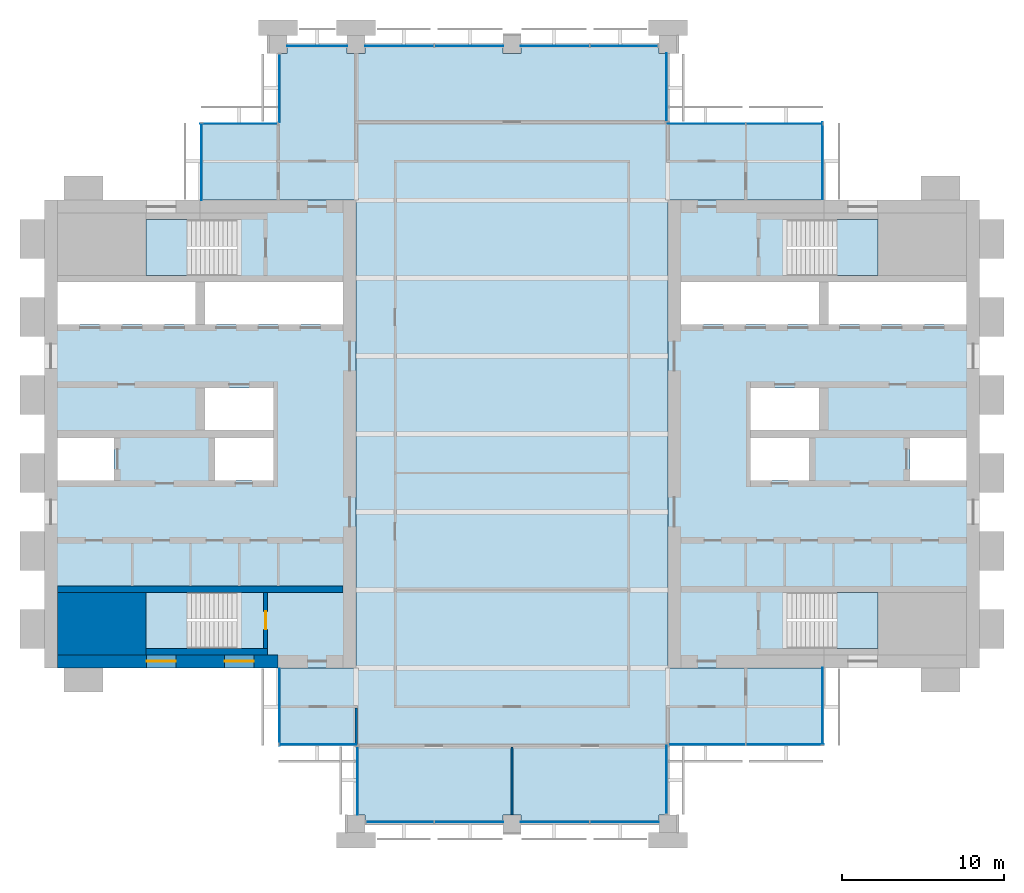
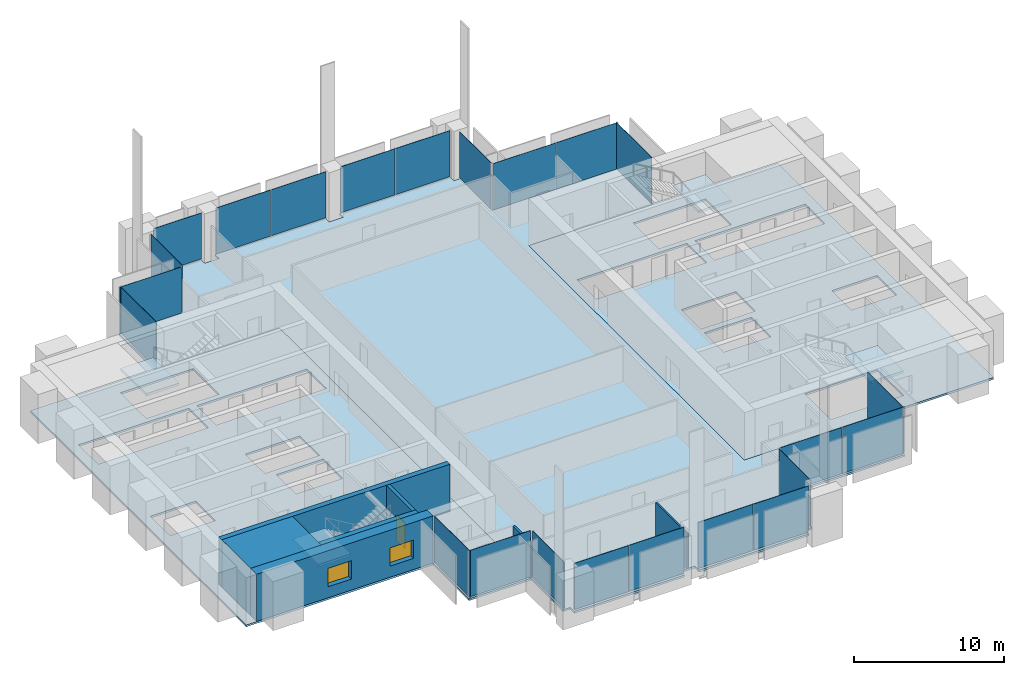
# One storey, part 7 of 13: 23 plates, 7 slabs, 7 walls, 2 windows, 1 door, 3 openings, 18 elements without a shape of their own.
"""IFC4 building model written with IfcOpenShell, lengths in metres."""

from ifc_helpers import new_model, si_unit, direction, frame, frame_2d, origin, origin_2d, place, context, subcontext, project, spatial, polyline, rectangle, outline, extrude, material, layer, layer_set, type_object, element, fill, aggregate, save


model = new_model("IFC4")

# Units and contexts
model_context = context("Model", 3, precision=1e-05, world=origin(), true_north=direction((0.0, 1.0)))
body_context = subcontext(model_context, "Body", "Model", "MODEL_VIEW")
ifc_project = project(units=[si_unit("LENGTHUNIT", "METRE"), si_unit("AREAUNIT", "SQUARE_METRE"), si_unit("VOLUMEUNIT", "CUBIC_METRE"), si_unit("PLANEANGLEUNIT", "RADIAN"), si_unit("MASSUNIT", "GRAM", prefix="KILO")], contexts=[model_context])

# Site, building, storey
site_placement = place(None, origin())
site = spatial("IfcSite", under=ifc_project, at=site_placement, CompositionType="ELEMENT")
building_placement = place(site_placement, origin())
building = spatial("IfcBuilding", under=site, at=building_placement, Name="Baori Bourse Tower", CompositionType="ELEMENT")
storey_placement = place(building_placement, frame((0.0, 0.0, 213.199951171875)))
storey = spatial("IfcBuildingStorey", under=building, at=storey_placement, Name="L46", CompositionType="ELEMENT", Elevation=213.199951171875)

# Curtain wall, plate
ifc_material_1 = material(Name="Pale anodised aluminium", Category="aluminium")
curtain_wall_type_1 = type_object("IfcCurtainWallType", Name="CW2 Curtain wall", PredefinedType="NOTDEFINED", material=ifc_material_1)
curtain_wall_1_placement = place(storey_placement, origin())
curtain_wall_1 = element("IfcCurtainWall", 1, at=curtain_wall_1_placement, inside=storey, type_object=curtain_wall_type_1, Name="Curtain wall CW2 L46 1", PredefinedType="NOTDEFINED")
ifc_material_2 = material(Name="Clear glass", Category="glass")
ifc_layer_1 = layer(ifc_material_2, 0.030029296875)
ifc_layer_set_1 = layer_set([ifc_layer_1], Name="CW2 Curtain wall panel")
plate_type_1 = type_object("IfcPlateType", Name="CW2 Curtain wall panel", PredefinedType="CURTAIN_PANEL", material=ifc_layer_set_1)
plate_1_placement = place(storey_placement, frame((47.909912109375, 40.827392578125, 0.070068359375), z_axis=(0.0, 0.0, 1.0), x_axis=(0.0, 1.0, 0.0)))
plate_1 = element("IfcPlate", 2, at=plate_1_placement, type_object=plate_type_1, Name="Curtain wall CW2 panel", PredefinedType="CURTAIN_PANEL", context=body_context, shape_type="SweptSolid", body=[
    extrude(rectangle(XDim=4.7451171875, YDim=0.030029296875, at=origin_2d()), origin(), (0.0, 0.0, 1.0), 3.77001953125),
])
aggregate(curtain_wall_1, [plate_1])

# Curtain wall, plates
curtain_wall_2_placement = place(storey_placement, origin())
curtain_wall_2 = element("IfcCurtainWall", 3, at=curtain_wall_2_placement, inside=storey, type_object=curtain_wall_type_1, Name="Curtain wall CW2 L46 2", PredefinedType="NOTDEFINED")
plate_2_placement = place(storey_placement, frame((45.586181640625, 43.110107421875, 0.070068359375), z_axis=(0.0, 0.0, 1.0), x_axis=(-1.0, 0.0, 0.0)))
plate_2 = element("IfcPlate", 4, at=plate_2_placement, type_object=plate_type_1, Name="Curtain wall CW2 panel", PredefinedType="CURTAIN_PANEL", context=body_context, shape_type="SweptSolid", body=[
    extrude(rectangle(XDim=4.717529296875, YDim=0.030029296875, at=origin_2d()), origin(), (0.0, 0.0, 1.0), 3.77001953125),
])
plate_3_placement = place(storey_placement, frame((40.7861328125, 43.110107421875, 0.070068359375), z_axis=(0.0, 0.0, 1.0), x_axis=(-1.0, 0.0, 0.0)))
plate_3 = element("IfcPlate", 5, at=plate_3_placement, type_object=plate_type_1, Name="Curtain wall CW2 panel", PredefinedType="CURTAIN_PANEL", context=body_context, shape_type="SweptSolid", body=[
    extrude(rectangle(XDim=4.7724609375, YDim=0.030029296875, at=origin_2d()), origin(), (0.0, 0.0, 1.0), 3.77001953125),
])
aggregate(curtain_wall_2, [plate_2, plate_3])

# Curtain wall, plate
curtain_wall_3_placement = place(storey_placement, origin())
curtain_wall_3 = element("IfcCurtainWall", 6, at=curtain_wall_3_placement, inside=storey, type_object=curtain_wall_type_1, Name="Curtain wall CW2 L46 3", PredefinedType="NOTDEFINED")
plate_4_placement = place(storey_placement, frame((38.31005859375, 45.3525390625, 0.070068359375), z_axis=(0.0, 0.0, 1.0), x_axis=(0.0, 1.0, 0.0)))
plate_4 = element("IfcPlate", 7, at=plate_4_placement, type_object=plate_type_1, Name="Curtain wall CW2 panel", PredefinedType="CURTAIN_PANEL", context=body_context, shape_type="SweptSolid", body=[
    extrude(rectangle(XDim=4.195068359375, YDim=0.030029296875, at=origin_2d()), origin(), (0.0, 0.0, 1.0), 3.77001953125),
])
aggregate(curtain_wall_3, [plate_4])

curtain_wall_4_placement = place(storey_placement, origin())
curtain_wall_4 = element("IfcCurtainWall", 8, at=curtain_wall_4_placement, inside=storey, type_object=curtain_wall_type_1, Name="Curtain wall CW2 L46 5", PredefinedType="NOTDEFINED")
plate_5_placement = place(storey_placement, frame((14.489990234375, 45.297607421875, 0.070068359375), z_axis=(0.0, 0.0, 1.0), x_axis=(0.0, -1.0, 0.0)))
plate_5 = element("IfcPlate", 9, at=plate_5_placement, type_object=plate_type_1, Name="Curtain wall CW2 panel", PredefinedType="CURTAIN_PANEL", context=body_context, shape_type="SweptSolid", body=[
    extrude(rectangle(XDim=4.195068359375, YDim=0.030029296875, at=origin_2d()), origin(), (0.0, 0.0, 1.0), 3.77001953125),
])
aggregate(curtain_wall_4, [plate_5])

curtain_wall_5_placement = place(storey_placement, origin())
curtain_wall_5 = element("IfcCurtainWall", 10, at=curtain_wall_5_placement, inside=storey, type_object=curtain_wall_type_1, Name="Curtain wall CW2 L46 6", PredefinedType="NOTDEFINED")
plate_6_placement = place(storey_placement, frame((11.972412109375, 43.110107421875, 0.070068359375), z_axis=(0.0, 0.0, 1.0), x_axis=(-1.0, 0.0, 0.0)))
plate_6 = element("IfcPlate", 11, at=plate_6_placement, type_object=plate_type_1, Name="Curtain wall CW2 panel", PredefinedType="CURTAIN_PANEL", context=body_context, shape_type="SweptSolid", body=[
    extrude(rectangle(XDim=4.7451171875, YDim=0.030029296875, at=origin_2d()), origin(), (0.0, 0.0, 1.0), 3.77001953125),
])
aggregate(curtain_wall_5, [plate_6])

curtain_wall_6_placement = place(storey_placement, origin())
curtain_wall_6 = element("IfcCurtainWall", 12, at=curtain_wall_6_placement, inside=storey, type_object=curtain_wall_type_1, Name="Curtain wall CW2 L46 7", PredefinedType="NOTDEFINED")
plate_7_placement = place(storey_placement, frame((9.68994140625, 40.7724609375, 0.070068359375), z_axis=(0.0, 0.0, 1.0), x_axis=(0.0, -1.0, 0.0)))
plate_7 = element("IfcPlate", 13, at=plate_7_placement, type_object=plate_type_1, Name="Curtain wall CW2 panel", PredefinedType="CURTAIN_PANEL", context=body_context, shape_type="SweptSolid", body=[
    extrude(rectangle(XDim=4.7451171875, YDim=0.030029296875, at=origin_2d()), origin(), (0.0, 0.0, 1.0), 3.77001953125),
])
aggregate(curtain_wall_6, [plate_7])

curtain_wall_7_placement = place(storey_placement, origin())
curtain_wall_7 = element("IfcCurtainWall", 14, at=curtain_wall_7_placement, inside=storey, type_object=curtain_wall_type_1, Name="Curtain wall CW2 L46 8", PredefinedType="NOTDEFINED")
plate_8_placement = place(storey_placement, frame((14.489990234375, 7.172607421875, 0.070068359375), z_axis=(0.0, 0.0, 1.0), x_axis=(0.0, -1.0, 0.0)))
plate_8 = element("IfcPlate", 15, at=plate_8_placement, type_object=plate_type_1, Name="Curtain wall CW2 panel", PredefinedType="CURTAIN_PANEL", context=body_context, shape_type="SweptSolid", body=[
    extrude(rectangle(XDim=4.7451171875, YDim=0.030029296875, at=origin_2d()), origin(), (0.0, 0.0, 1.0), 3.77001953125),
])
aggregate(curtain_wall_7, [plate_8])

curtain_wall_8_placement = place(storey_placement, origin())
curtain_wall_8 = element("IfcCurtainWall", 16, at=curtain_wall_8_placement, inside=storey, type_object=curtain_wall_type_1, Name="Curtain wall CW2 L46 9", PredefinedType="NOTDEFINED")
plate_9_placement = place(storey_placement, frame((16.827392578125, 4.889892578125, 0.070068359375), z_axis=(0.0, 0.0, 1.0), x_axis=(1.0, 0.0, 0.0)))
plate_9 = element("IfcPlate", 17, at=plate_9_placement, type_object=plate_type_1, Name="Curtain wall CW2 panel", PredefinedType="CURTAIN_PANEL", context=body_context, shape_type="SweptSolid", body=[
    extrude(rectangle(XDim=4.7451171875, YDim=0.030029296875, at=origin_2d()), origin(), (0.0, 0.0, 1.0), 3.77001953125),
])
aggregate(curtain_wall_8, [plate_9])

curtain_wall_9_placement = place(storey_placement, origin())
curtain_wall_9 = element("IfcCurtainWall", 18, at=curtain_wall_9_placement, inside=storey, type_object=curtain_wall_type_1, Name="Curtain wall CW2 L46 10", PredefinedType="NOTDEFINED")
plate_10_placement = place(storey_placement, frame((19.2900390625, 2.6474609375, 0.070068359375), z_axis=(0.0, 0.0, 1.0), x_axis=(0.0, -1.0, 0.0)))
plate_10 = element("IfcPlate", 19, at=plate_10_placement, type_object=plate_type_1, Name="Curtain wall CW2 panel", PredefinedType="CURTAIN_PANEL", context=body_context, shape_type="SweptSolid", body=[
    extrude(rectangle(XDim=4.195068359375, YDim=0.030029296875, at=origin_2d()), origin(), (0.0, 0.0, 1.0), 3.77001953125),
])
aggregate(curtain_wall_9, [plate_10])

curtain_wall_10_placement = place(storey_placement, origin())
curtain_wall_10 = element("IfcCurtainWall", 20, at=curtain_wall_10_placement, inside=storey, type_object=curtain_wall_type_1, Name="Curtain wall CW2 L46 12", PredefinedType="NOTDEFINED")
plate_11_placement = place(storey_placement, frame((38.31005859375, 2.702392578125, 0.070068359375), z_axis=(0.0, 0.0, 1.0), x_axis=(0.0, 1.0, 0.0)))
plate_11 = element("IfcPlate", 21, at=plate_11_placement, type_object=plate_type_1, Name="Curtain wall CW2 panel", PredefinedType="CURTAIN_PANEL", context=body_context, shape_type="SweptSolid", body=[
    extrude(rectangle(XDim=4.195068359375, YDim=0.030029296875, at=origin_2d()), origin(), (0.0, 0.0, 1.0), 3.77001953125),
])
aggregate(curtain_wall_10, [plate_11])

# Curtain wall, plates
curtain_wall_11_placement = place(storey_placement, origin())
curtain_wall_11 = element("IfcCurtainWall", 22, at=curtain_wall_11_placement, inside=storey, type_object=curtain_wall_type_1, Name="Curtain wall CW2 L46 13", PredefinedType="NOTDEFINED")
plate_12_placement = place(storey_placement, frame((40.813720703125, 4.889892578125, 0.070068359375), z_axis=(0.0, 0.0, 1.0), x_axis=(1.0, 0.0, 0.0)))
plate_12 = element("IfcPlate", 23, at=plate_12_placement, type_object=plate_type_1, Name="Curtain wall CW2 panel", PredefinedType="CURTAIN_PANEL", context=body_context, shape_type="SweptSolid", body=[
    extrude(rectangle(XDim=4.717529296875, YDim=0.030029296875, at=origin_2d()), origin(), (0.0, 0.0, 1.0), 3.77001953125),
])
plate_13_placement = place(storey_placement, frame((45.61376953125, 4.889892578125, 0.070068359375), z_axis=(0.0, 0.0, 1.0), x_axis=(1.0, 0.0, 0.0)))
plate_13 = element("IfcPlate", 24, at=plate_13_placement, type_object=plate_type_1, Name="Curtain wall CW2 panel", PredefinedType="CURTAIN_PANEL", context=body_context, shape_type="SweptSolid", body=[
    extrude(rectangle(XDim=4.7724609375, YDim=0.030029296875, at=origin_2d()), origin(), (0.0, 0.0, 1.0), 3.77001953125),
])
aggregate(curtain_wall_11, [plate_12, plate_13])

# Curtain wall, plate
curtain_wall_12_placement = place(storey_placement, origin())
curtain_wall_12 = element("IfcCurtainWall", 25, at=curtain_wall_12_placement, inside=storey, type_object=curtain_wall_type_1, Name="Curtain wall CW2 L46 14", PredefinedType="NOTDEFINED")
plate_14_placement = place(storey_placement, frame((47.909912109375, 7.2275390625, 0.070068359375), z_axis=(0.0, 0.0, 1.0), x_axis=(0.0, 1.0, 0.0)))
plate_14 = element("IfcPlate", 26, at=plate_14_placement, type_object=plate_type_1, Name="Curtain wall CW2 panel", PredefinedType="CURTAIN_PANEL", context=body_context, shape_type="SweptSolid", body=[
    extrude(rectangle(XDim=4.7451171875, YDim=0.030029296875, at=origin_2d()), origin(), (0.0, 0.0, 1.0), 3.77001953125),
])
aggregate(curtain_wall_12, [plate_14])

# Curtain wall, plates
ifc_material_3 = material(Name="Pale anodised aluminium", Category="aluminium")
curtain_wall_type_2 = type_object("IfcCurtainWallType", Name="CW5 Curtain wall", PredefinedType="NOTDEFINED", material=ifc_material_3)
curtain_wall_13_placement = place(storey_placement, origin())
curtain_wall_13 = element("IfcCurtainWall", 27, at=curtain_wall_13_placement, inside=storey, type_object=curtain_wall_type_2, Name="Curtain wall CW5 L46 4", PredefinedType="NOTDEFINED")
ifc_material_4 = material(Name="Clear glass", Category="glass")
ifc_layer_2 = layer(ifc_material_4, 0.035888671875)
ifc_layer_set_2 = layer_set([ifc_layer_2], Name="CW5 Curtain wall panel")
plate_type_2 = type_object("IfcPlateType", Name="CW5 Curtain wall panel", PredefinedType="CURTAIN_PANEL", material=ifc_layer_set_2)
plate_15_placement = place(storey_placement, frame((35.708740234375, 47.889892578125, 0.085205078125), z_axis=(0.0, 0.0, 1.0), x_axis=(-1.0, 0.0, 0.0)))
plate_15 = element("IfcPlate", 28, at=plate_15_placement, type_object=plate_type_2, Name="Curtain wall CW5 panel", PredefinedType="CURTAIN_PANEL", context=body_context, shape_type="SweptSolid", body=[
    extrude(rectangle(XDim=4.152587890625, YDim=0.035888671875, at=origin_2d()), origin(), (0.0, 0.0, 1.0), 3.7548828125),
])
plate_16_placement = place(storey_placement, frame((31.458740234375, 47.889892578125, 0.085205078125), z_axis=(0.0, 0.0, 1.0), x_axis=(-1.0, 0.0, 0.0)))
plate_16 = element("IfcPlate", 29, at=plate_16_placement, type_object=plate_type_2, Name="Curtain wall CW5 panel", PredefinedType="CURTAIN_PANEL", context=body_context, shape_type="SweptSolid", body=[
    extrude(rectangle(XDim=4.217529296875, YDim=0.035888671875, at=origin_2d()), origin(), (0.0, 0.0, 1.0), 3.7548828125),
])
plate_17_placement = place(storey_placement, frame((26.141357421875, 47.889892578125, 0.085205078125), z_axis=(0.0, 0.0, 1.0), x_axis=(-1.0, 0.0, 0.0)))
plate_17 = element("IfcPlate", 30, at=plate_17_placement, type_object=plate_type_2, Name="Curtain wall CW5 panel", PredefinedType="CURTAIN_PANEL", context=body_context, shape_type="SweptSolid", body=[
    extrude(rectangle(XDim=4.217529296875, YDim=0.035888671875, at=origin_2d()), origin(), (0.0, 0.0, 1.0), 3.7548828125),
])
plate_18_placement = place(storey_placement, frame((21.858642578125, 47.889892578125, 0.085205078125), z_axis=(0.0, 0.0, 1.0), x_axis=(-1.0, 0.0, 0.0)))
plate_18 = element("IfcPlate", 31, at=plate_18_placement, type_object=plate_type_2, Name="Curtain wall CW5 panel", PredefinedType="CURTAIN_PANEL", context=body_context, shape_type="SweptSolid", body=[
    extrude(rectangle(XDim=4.217529296875, YDim=0.035888671875, at=origin_2d()), origin(), (0.0, 0.0, 1.0), 3.7548828125),
])
plate_19_placement = place(storey_placement, frame((16.800048828125, 47.889892578125, 0.085205078125), z_axis=(0.0, 0.0, 1.0), x_axis=(-1.0, 0.0, 0.0)))
plate_19 = element("IfcPlate", 32, at=plate_19_placement, type_object=plate_type_2, Name="Curtain wall CW5 panel", PredefinedType="CURTAIN_PANEL", context=body_context, shape_type="SweptSolid", body=[
    extrude(rectangle(XDim=3.699951171875, YDim=0.035888671875, at=origin_2d()), origin(), (0.0, 0.0, 1.0), 3.7548828125),
])
aggregate(curtain_wall_13, [plate_15, plate_16, plate_17, plate_18, plate_19])

curtain_wall_14_placement = place(storey_placement, origin())
curtain_wall_14 = element("IfcCurtainWall", 33, at=curtain_wall_14_placement, inside=storey, type_object=curtain_wall_type_2, Name="Curtain wall CW5 L46 11", PredefinedType="NOTDEFINED")
plate_20_placement = place(storey_placement, frame((21.891357421875, 0.110107421875, 0.085205078125), z_axis=(0.0, 0.0, 1.0), x_axis=(1.0, 0.0, 0.0)))
plate_20 = element("IfcPlate", 34, at=plate_20_placement, type_object=plate_type_2, Name="Curtain wall CW5 panel", PredefinedType="CURTAIN_PANEL", context=body_context, shape_type="SweptSolid", body=[
    extrude(rectangle(XDim=4.152587890625, YDim=0.035888671875, at=origin_2d()), origin(), (0.0, 0.0, 1.0), 3.7548828125),
])
plate_21_placement = place(storey_placement, frame((26.141357421875, 0.110107421875, 0.085205078125), z_axis=(0.0, 0.0, 1.0), x_axis=(1.0, 0.0, 0.0)))
plate_21 = element("IfcPlate", 35, at=plate_21_placement, type_object=plate_type_2, Name="Curtain wall CW5 panel", PredefinedType="CURTAIN_PANEL", context=body_context, shape_type="SweptSolid", body=[
    extrude(rectangle(XDim=4.217529296875, YDim=0.035888671875, at=origin_2d()), origin(), (0.0, 0.0, 1.0), 3.7548828125),
])
plate_22_placement = place(storey_placement, frame((31.458740234375, 0.110107421875, 0.085205078125), z_axis=(0.0, 0.0, 1.0), x_axis=(1.0, 0.0, 0.0)))
plate_22 = element("IfcPlate", 36, at=plate_22_placement, type_object=plate_type_2, Name="Curtain wall CW5 panel", PredefinedType="CURTAIN_PANEL", context=body_context, shape_type="SweptSolid", body=[
    extrude(rectangle(XDim=4.217529296875, YDim=0.035888671875, at=origin_2d()), origin(), (0.0, 0.0, 1.0), 3.7548828125),
])
plate_23_placement = place(storey_placement, frame((35.7412109375, 0.110107421875, 0.085205078125), z_axis=(0.0, 0.0, 1.0), x_axis=(1.0, 0.0, 0.0)))
plate_23 = element("IfcPlate", 37, at=plate_23_placement, type_object=plate_type_2, Name="Curtain wall CW5 panel", PredefinedType="CURTAIN_PANEL", context=body_context, shape_type="SweptSolid", body=[
    extrude(rectangle(XDim=4.217529296875, YDim=0.035888671875, at=origin_2d()), origin(), (0.0, 0.0, 1.0), 3.7548828125),
])
aggregate(curtain_wall_14, [plate_20, plate_21, plate_22, plate_23])

# Slabs
ifc_material_5 = material(Name="Concrete f'c 50 MPa", Category="concrete")
ifc_layer_3 = layer(ifc_material_5, 0.159912109375)
ifc_layer_set_3 = layer_set([ifc_layer_3], Name="Core slab 160")
slab_type_1 = type_object("IfcSlabType", Name="Core slab 160", PredefinedType="FLOOR", material=ifc_layer_set_3)
slab_1_placement = place(storey_placement, frame((0.0, 0.0, -0.159912109375)))
element("IfcSlab", 38, at=slab_1_placement, inside=storey, type_object=slab_type_1, Name="Core floor slab W01", PredefinedType="FLOOR", context=body_context, shape_type="SweptSolid", body=[
    extrude(outline(polyline([(19.199951171875, 38.39990234375), (0.0, 38.39990234375), (0.0, 9.60009765625), (19.199951171875, 9.60009765625), (19.199951171875, 38.39990234375)]), holes=[polyline([(9.89990234375, 33.35009765625), (18.39990234375, 33.35009765625), (18.39990234375, 30.75), (9.89990234375, 30.75), (9.89990234375, 33.35009765625)]), polyline([(10.5, 21.14990234375), (10.5, 23.75), (14.10009765625, 23.75), (14.10009765625, 21.14990234375), (10.5, 21.14990234375)]), polyline([(14.10009765625, 24.25), (9.89990234375, 24.25), (9.89990234375, 26.85009765625), (14.10009765625, 26.85009765625), (14.10009765625, 24.25)]), polyline([(6.25, 14.25), (11.84912109375, 14.25), (11.84912109375, 10.800048828125), (6.25, 10.800048828125), (6.25, 14.25)]), polyline([(11.84912109375, 37.199951171875), (11.84912109375, 33.75), (6.25, 33.75), (6.25, 37.199951171875), (11.84912109375, 37.199951171875)]), polyline([(0.800048828125, 30.75), (0.800048828125, 33.35009765625), (9.300048828125, 33.35009765625), (9.300048828125, 30.75), (0.800048828125, 30.75)]), polyline([(4.300048828125, 23.75), (4.300048828125, 21.14990234375), (0.800048828125, 21.14990234375), (0.800048828125, 23.75), (4.300048828125, 23.75)])]), origin(), (0.0, 0.0, 1.0), 0.159912109375),
])
slab_2_placement = place(storey_placement, frame((0.0, 0.0, -0.159912109375)))
element("IfcSlab", 39, at=slab_2_placement, inside=storey, type_object=slab_type_1, Name="Core floor slab E01", PredefinedType="FLOOR", context=body_context, shape_type="SweptSolid", body=[
    extrude(outline(polyline([(57.60009765625, 9.60009765625), (57.60009765625, 38.39990234375), (38.39990234375, 38.39990234375), (38.39990234375, 9.60009765625), (57.60009765625, 9.60009765625)]), holes=[polyline([(48.300048828125, 33.35009765625), (56.800048828125, 33.35009765625), (56.800048828125, 30.75), (48.300048828125, 30.75), (48.300048828125, 33.35009765625)]), polyline([(56.800048828125, 21.14990234375), (53.300048828125, 21.14990234375), (53.300048828125, 23.75), (56.800048828125, 23.75), (56.800048828125, 21.14990234375)]), polyline([(45.750732421875, 14.25), (51.35009765625, 14.25), (51.35009765625, 10.800048828125), (45.750732421875, 10.800048828125), (45.750732421875, 14.25)]), polyline([(51.35009765625, 37.199951171875), (51.35009765625, 33.75), (45.750732421875, 33.75), (45.750732421875, 37.199951171875), (51.35009765625, 37.199951171875)]), polyline([(43.5, 24.25), (43.5, 26.85009765625), (47.699951171875, 26.85009765625), (47.699951171875, 24.25), (43.5, 24.25)]), polyline([(47.699951171875, 33.35009765625), (47.699951171875, 30.75), (39.199951171875, 30.75), (39.199951171875, 33.35009765625), (47.699951171875, 33.35009765625)]), polyline([(43.5, 23.75), (47.10009765625, 23.75), (47.10009765625, 21.14990234375), (43.5, 21.14990234375), (43.5, 23.75)])]), origin(), (0.0, 0.0, 1.0), 0.159912109375),
])

# Stair, slab
ifc_material_6 = material(Name="Concrete f'c 50 MPa", Category="concrete")
stair_type = type_object("IfcStairType", Name="Core stair", PredefinedType="HALF_TURN_STAIR", material=ifc_material_6)
stair_1_placement = place(storey_placement, origin())
stair_1 = element("IfcStair", 40, at=stair_1_placement, inside=storey, type_object=stair_type, Name="L46 Stair WA", PredefinedType="HALF_TURN_STAIR")
ifc_material_7 = material(Name="Concrete f'c 50 MPa", Category="concrete")
slab_type_2 = type_object("IfcSlabType", Name="Core stair landing", PredefinedType="LANDING", material=ifc_material_7)
slab_3_placement = place(storey_placement, frame((0.0, 0.0, 1.800048828125)))
slab_3 = element("IfcSlab", 41, at=slab_3_placement, type_object=slab_type_2, Name="ST1 landing 1", PredefinedType="LANDING", context=body_context, shape_type="SweptSolid", body=[
    extrude(outline(polyline([(8.77001953125, 14.25), (6.25, 14.25), (6.25, 10.800048828125), (8.77001953125, 10.800048828125), (8.77001953125, 14.25)])), origin(), (0.0, 0.0, 1.0), 0.199951171875),
])
aggregate(stair_1, [slab_3])

stair_2_placement = place(storey_placement, origin())
stair_2 = element("IfcStair", 42, at=stair_2_placement, inside=storey, type_object=stair_type, Name="L46 Stair WB", PredefinedType="HALF_TURN_STAIR")
slab_4_placement = place(storey_placement, frame((0.0, 0.0, 1.800048828125)))
slab_4 = element("IfcSlab", 43, at=slab_4_placement, type_object=slab_type_2, Name="ST2 landing 1", PredefinedType="LANDING", context=body_context, shape_type="SweptSolid", body=[
    extrude(outline(polyline([(8.77001953125, 37.199951171875), (6.25, 37.199951171875), (6.25, 33.75), (8.77001953125, 33.75), (8.77001953125, 37.199951171875)])), origin(), (0.0, 0.0, 1.0), 0.199951171875),
])
aggregate(stair_2, [slab_4])

stair_3_placement = place(storey_placement, origin())
stair_3 = element("IfcStair", 44, at=stair_3_placement, inside=storey, type_object=stair_type, Name="L46 Stair EA", PredefinedType="HALF_TURN_STAIR")
slab_5_placement = place(storey_placement, frame((0.0, 0.0, 1.800048828125)))
slab_5 = element("IfcSlab", 45, at=slab_5_placement, type_object=slab_type_2, Name="ST3 landing 1", PredefinedType="LANDING", context=body_context, shape_type="SweptSolid", body=[
    extrude(outline(polyline([(48.830078125, 10.800048828125), (51.35009765625, 10.800048828125), (51.35009765625, 14.25), (48.830078125, 14.25), (48.830078125, 10.800048828125)])), origin(), (0.0, 0.0, 1.0), 0.199951171875),
])
aggregate(stair_3, [slab_5])

stair_4_placement = place(storey_placement, origin())
stair_4 = element("IfcStair", 46, at=stair_4_placement, inside=storey, type_object=stair_type, Name="L46 Stair EB", PredefinedType="HALF_TURN_STAIR")
slab_6_placement = place(storey_placement, frame((0.0, 0.0, 1.800048828125)))
slab_6 = element("IfcSlab", 47, at=slab_6_placement, type_object=slab_type_2, Name="ST4 landing 1", PredefinedType="LANDING", context=body_context, shape_type="SweptSolid", body=[
    extrude(outline(polyline([(48.830078125, 33.75), (51.35009765625, 33.75), (51.35009765625, 37.199951171875), (48.830078125, 37.199951171875), (48.830078125, 33.75)])), origin(), (0.0, 0.0, 1.0), 0.199951171875),
])
aggregate(stair_4, [slab_6])

# Slab
ifc_material_8 = material(Name="Concrete f'c 40 MPa", Category="concrete")
ifc_layer_4 = layer(ifc_material_8, 0.159912109375)
ifc_layer_set_4 = layer_set([ifc_layer_4], Name="Floor slab 160")
slab_type_3 = type_object("IfcSlabType", Name="Floor slab 160", PredefinedType="FLOOR", material=ifc_layer_set_4)
slab_7_placement = place(storey_placement, frame((0.0, 0.0, -0.159912109375)))
element("IfcSlab", 48, at=slab_7_placement, inside=storey, type_object=slab_type_3, Name="Floor slab L46", PredefinedType="FLOOR", context=body_context, shape_type="SweptSolid", body=[
    extrude(outline(polyline([(19.199951171875, 4.800048828125), (14.39990234375, 4.800048828125), (14.39990234375, 9.60009765625), (19.199951171875, 9.60009765625), (19.199951171875, 38.39990234375), (9.60009765625, 38.39990234375), (9.60009765625, 43.199951171875), (14.39990234375, 43.199951171875), (14.39990234375, 47.449951171875), (14.949951171875, 47.449951171875), (14.949951171875, 48.0), (18.64990234375, 48.0), (18.64990234375, 47.449951171875), (19.75, 47.449951171875), (19.75, 48.0), (28.25, 48.0), (28.25, 47.449951171875), (29.35009765625, 47.449951171875), (29.35009765625, 48.0), (37.85009765625, 48.0), (37.85009765625, 47.449951171875), (38.39990234375, 47.449951171875), (38.39990234375, 43.199951171875), (48.0, 43.199951171875), (48.0, 38.39990234375), (38.39990234375, 38.39990234375), (38.39990234375, 9.60009765625), (48.0, 9.60009765625), (48.0, 4.800048828125), (38.39990234375, 4.800048828125), (38.39990234375, 0.550048828125), (37.85009765625, 0.550048828125), (37.85009765625, 0.0), (29.35009765625, 0.0), (29.35009765625, 0.550048828125), (28.25, 0.550048828125), (28.25, 0.0), (19.75, 0.0), (19.75, 0.550048828125), (19.199951171875, 0.550048828125), (19.199951171875, 4.800048828125)])), origin(), (0.0, 0.0, 1.0), 0.159912109375),
])

# Wall
ifc_material_9 = material(Name="Concrete f'c 50 MPa", Category="concrete")
wall_type_1 = type_object("IfcWallType", Name="Core corner block f'c 50", PredefinedType="SHEAR", material=ifc_material_9)
wall_1_placement = place(storey_placement, frame((0.800048828125, 12.324951171875, 0.0), z_axis=(0.0, 0.0, 1.0), x_axis=(1.0, 0.0, 0.0)))
element("IfcWall", 49, at=wall_1_placement, inside=storey, type_object=wall_type_1, Name="Core wall W05", PredefinedType="SHEAR", context=body_context, shape_type="SweptSolid", body=[
    extrude(rectangle(XDim=5.449951171875, YDim=3.85009765625, at=frame_2d((2.72509765625, 0.0))), origin(), (0.0, 0.0, 1.0), 3.840087890625),
])

# Wall, openings, windows
ifc_material_10 = material(Name="Concrete f'c 50 MPa", Category="concrete")
ifc_layer_5 = layer(ifc_material_10, 0.800048828125)
ifc_layer_set_5 = layer_set([ifc_layer_5], Name="Core wall 800 f'c 50")
wall_type_2 = type_object("IfcWallType", Name="Core wall 800 f'c 50", PredefinedType="SHEAR", material=ifc_layer_set_5)
wall_2_placement = place(storey_placement, frame((14.39990234375, 10.0, 0.0), z_axis=(0.0, 0.0, 1.0), x_axis=(-1.0, 0.0, 0.0)))
wall_2 = element("IfcWall", 50, at=wall_2_placement, inside=storey, type_object=wall_type_2, Name="Core wall W02", PredefinedType="SHEAR", context=body_context, shape_type="SweptSolid", body=[
    extrude(rectangle(XDim=13.599853515625, YDim=0.800048828125, at=frame_2d((6.7998046875, 0.0))), origin(), (0.0, 0.0, 1.0), 3.840087890625),
])
opening_1_placement = place(wall_2_placement, frame((6.300048828125, 0.0, 0.89990234375)))
opening_1 = element("IfcOpeningElement", 51, at=opening_1_placement, cuts=wall_2, Name="Opening L46-KW103", PredefinedType="OPENING", context=body_context, shape_type="SweptSolid", body=[
    extrude(rectangle(XDim=1.800048828125, YDim=1.5, at=frame_2d((0.89990234375, 0.75))), frame((0.0, 0.409912109375, 0.0), z_axis=(0.0, -1.0, 0.0), x_axis=(1.0, 0.0, 0.0)), (0.0, 0.0, 1.0), 0.820068359375),
])
opening_2_placement = place(wall_2_placement, frame((1.5, 0.0, 0.89990234375)))
opening_2 = element("IfcOpeningElement", 52, at=opening_2_placement, cuts=wall_2, Name="Opening L46-KW104", PredefinedType="OPENING", context=body_context, shape_type="SweptSolid", body=[
    extrude(rectangle(XDim=1.800048828125, YDim=1.5, at=frame_2d((0.89990234375, 0.75))), frame((0.0, 0.409912109375, 0.0), z_axis=(0.0, -1.0, 0.0), x_axis=(1.0, 0.0, 0.0)), (0.0, 0.0, 1.0), 0.820068359375),
])
ifc_material_11 = material(Name="Pale anodised aluminium", Category="aluminium")
window_type = type_object("IfcWindowType", Name="Stair window 1800 x 1500", PartitioningType="SINGLE_PANEL", PredefinedType="WINDOW", material=ifc_material_11)
window_1_placement = place(opening_1_placement, origin())
window_1 = element("IfcWindow", 53, at=window_1_placement, inside=storey, type_object=window_type, Name="Stair window W L46 3", OverallHeight=1.5, OverallWidth=1.800048828125, PartitioningType="SINGLE_PANEL", PredefinedType="WINDOW", context=body_context, shape_type="SweptSolid", body=[
    extrude(rectangle(XDim=1.800048828125, YDim=1.5, at=frame_2d((0.89990234375, 0.75))), frame((0.0, 0.030029296875, 0.0), z_axis=(0.0, -1.0, 0.0), x_axis=(1.0, 0.0, 0.0)), (0.0, 0.0, 1.0), 0.06005859375),
])
fill(opening_1, window_1)
window_2_placement = place(opening_2_placement, origin())
window_2 = element("IfcWindow", 54, at=window_2_placement, inside=storey, type_object=window_type, Name="Stair window W L46 4", OverallHeight=1.5, OverallWidth=1.800048828125, PartitioningType="SINGLE_PANEL", PredefinedType="WINDOW", context=body_context, shape_type="SweptSolid", body=[
    extrude(rectangle(XDim=1.800048828125, YDim=1.5, at=frame_2d((0.89990234375, 0.75))), frame((0.0, 0.030029296875, 0.0), z_axis=(0.0, -1.0, 0.0), x_axis=(1.0, 0.0, 0.0)), (0.0, 0.0, 1.0), 0.06005859375),
])
fill(opening_2, window_2)

# Walls
ifc_material_12 = material(Name="Gypsum board partition")
ifc_layer_6 = layer(ifc_material_12, 0.14990234375)
ifc_layer_set_6 = layer_set([ifc_layer_6], Name="Corridor partition 150")
wall_type_3 = type_object("IfcWallType", Name="Corridor partition 150", PredefinedType="PARTITIONING", material=ifc_layer_set_6)
wall_3_placement = place(storey_placement, frame((19.199951171875, 4.875, 0.0), z_axis=(0.0, 0.0, 1.0), x_axis=(0.0, 1.0, 0.0)))
element("IfcWall", 55, at=wall_3_placement, inside=storey, type_object=wall_type_3, Name="Partition", PredefinedType="PARTITIONING", context=body_context, shape_type="SweptSolid", body=[
    extrude(rectangle(XDim=2.25, YDim=0.14990234375, at=frame_2d((1.125, 0.0))), origin(), (0.0, 0.0, 1.0), 2.869873046875),
])
ifc_material_13 = material(Name="Gypsum board partition")
ifc_layer_7 = layer(ifc_material_13, 0.125)
ifc_layer_set_7 = layer_set([ifc_layer_7], Name="Partition 125")
wall_type_4 = type_object("IfcWallType", Name="Partition 125", PredefinedType="PARTITIONING", material=ifc_layer_set_7)
wall_4_placement = place(storey_placement, frame((28.800048828125, 0.550048828125, 0.0), z_axis=(0.0, 0.0, 1.0), x_axis=(0.0, 1.0, 0.0)))
element("IfcWall", 56, at=wall_4_placement, inside=storey, type_object=wall_type_4, Name="Partition", PredefinedType="PARTITIONING", context=body_context, shape_type="SweptSolid", body=[
    extrude(rectangle(XDim=4.175048828125, YDim=0.125, at=frame_2d((2.08740234375, 0.0))), origin(), (0.0, 0.0, 1.0), 2.869873046875),
])

# Wall, opening, door
ifc_material_14 = material(Name="Concrete f'c 50 MPa", Category="concrete")
ifc_layer_8 = layer(ifc_material_14, 0.25)
ifc_layer_set_8 = layer_set([ifc_layer_8], Name="Shaft wall 250 f'c 50")
wall_type_5 = type_object("IfcWallType", Name="Shaft wall 250 f'c 50", PredefinedType="SHEAR", material=ifc_layer_set_8)
wall_5_placement = place(storey_placement, frame((13.625, 10.800048828125, 0.0), z_axis=(0.0, 0.0, 1.0), x_axis=(0.0, 1.0, 0.0)))
wall_5 = element("IfcWall", 57, at=wall_5_placement, inside=storey, type_object=wall_type_5, Name="Core wall W07", PredefinedType="SHEAR", context=body_context, shape_type="SweptSolid", body=[
    extrude(rectangle(XDim=3.449951171875, YDim=0.25, at=frame_2d((1.72509765625, 0.0))), origin(), (0.0, 0.0, 1.0), 3.840087890625),
])
opening_3_placement = place(wall_5_placement, frame((1.175048828125, 0.0, 0.0)))
opening_3 = element("IfcOpeningElement", 58, at=opening_3_placement, cuts=wall_5, Name="Opening L46-D101", PredefinedType="OPENING", context=body_context, shape_type="SweptSolid", body=[
    extrude(rectangle(XDim=1.10009765625, YDim=2.10009765625, at=frame_2d((0.550048828125, 1.050048828125))), frame((0.0, 0.135009765625, 0.0), z_axis=(0.0, -1.0, 0.0), x_axis=(1.0, 0.0, 0.0)), (0.0, 0.0, 1.0), 0.27001953125),
])
ifc_material_15 = material(Name="Painted steel door", Category="steel")
door_type = type_object("IfcDoorType", Name="Stair door 1100", OperationType="SINGLE_SWING_LEFT", PredefinedType="DOOR", material=ifc_material_15)
door_placement = place(opening_3_placement, origin())
door = element("IfcDoor", 59, at=door_placement, inside=storey, type_object=door_type, Name="Stair door A W L46", OperationType="SINGLE_SWING_LEFT", OverallHeight=2.10009765625, OverallWidth=1.10009765625, PredefinedType="DOOR", context=body_context, shape_type="SweptSolid", body=[
    extrude(rectangle(XDim=1.10009765625, YDim=2.10009765625, at=frame_2d((0.550048828125, 1.050048828125))), frame((0.0, 0.02490234375, 0.0), z_axis=(0.0, -1.0, 0.0), x_axis=(1.0, 0.0, 0.0)), (0.0, 0.0, 1.0), 0.050048828125),
])
fill(opening_3, door)

# Walls
ifc_material_16 = material(Name="Concrete f'c 50 MPa", Category="concrete")
ifc_layer_9 = layer(ifc_material_16, 0.39990234375)
ifc_layer_set_9 = layer_set([ifc_layer_9], Name="Shaft wall 400 f'c 50")
wall_type_6 = type_object("IfcWallType", Name="Shaft wall 400 f'c 50", PredefinedType="SHEAR", material=ifc_layer_set_9)
wall_6_placement = place(storey_placement, frame((6.25, 10.60009765625, 0.0), z_axis=(0.0, 0.0, 1.0), x_axis=(1.0, 0.0, 0.0)))
element("IfcWall", 60, at=wall_6_placement, inside=storey, type_object=wall_type_6, Name="Core wall W06", PredefinedType="SHEAR", context=body_context, shape_type="SweptSolid", body=[
    extrude(rectangle(XDim=7.5, YDim=0.39990234375, at=frame_2d((3.75, 0.0))), origin(), (0.0, 0.0, 1.0), 3.840087890625),
])
wall_7_placement = place(storey_placement, frame((0.800048828125, 14.449951171875, 0.0), z_axis=(0.0, 0.0, 1.0), x_axis=(1.0, 0.0, 0.0)))
element("IfcWall", 61, at=wall_7_placement, inside=storey, type_object=wall_type_6, Name="Core wall W08", PredefinedType="SHEAR", context=body_context, shape_type="SweptSolid", body=[
    extrude(rectangle(XDim=17.599853515625, YDim=0.39990234375, at=frame_2d((8.7998046875, 0.0))), origin(), (0.0, 0.0, 1.0), 3.840087890625),
])

save(model, "model.ifc")
